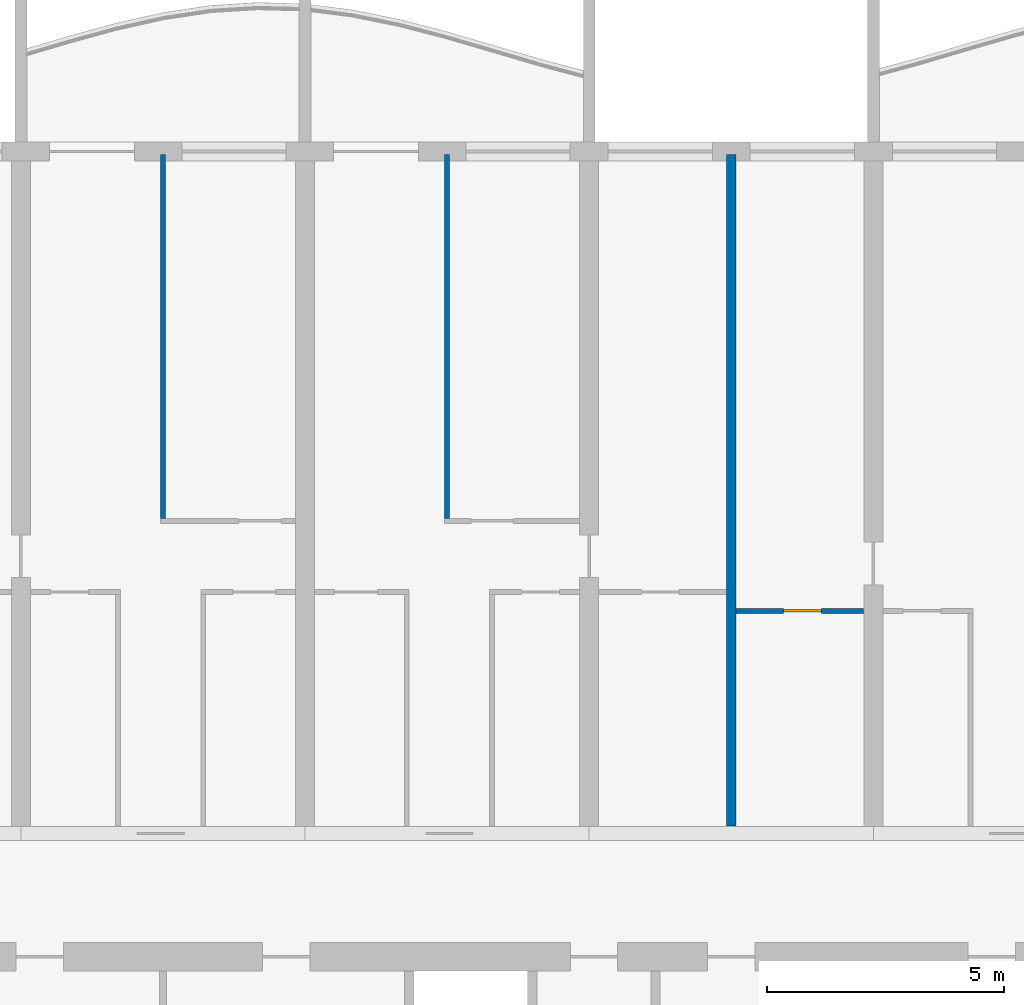
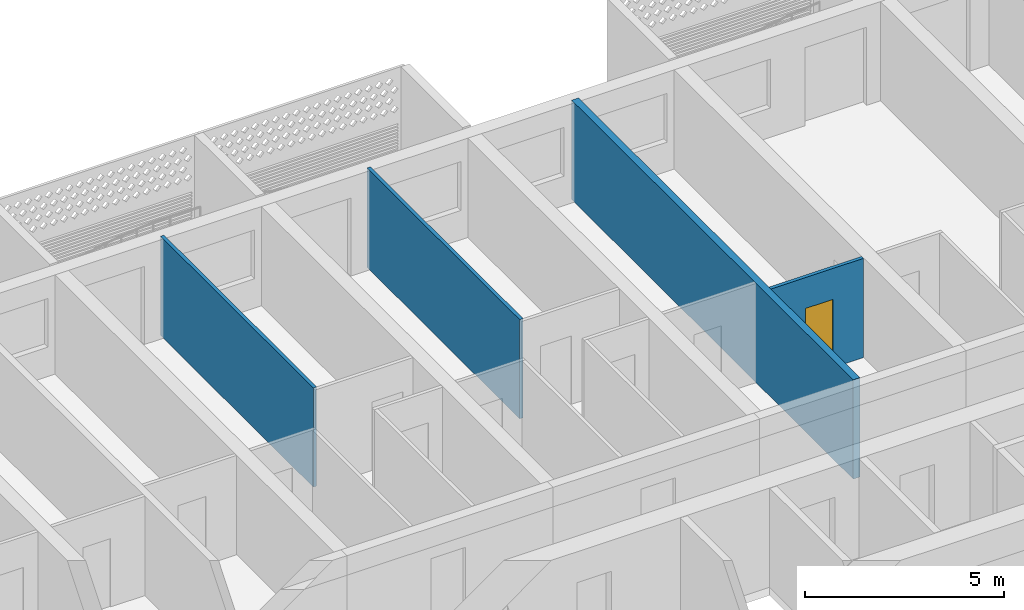
# One storey, part 11 of 39: 4 walls, 1 door, 1 opening.
"""IFC4 building model written with IfcOpenShell, lengths in metres."""

from ifc_helpers import new_model, si_unit, direction, frame, frame_2d, origin, place, context, subcontext, project, spatial, rectangle, extrude, material, layer, layer_set, type_object, element, fill, save


model = new_model("IFC4")

# Units and contexts
model_context = context("Model", 3, precision=1e-05, world=origin(), true_north=direction((0.0, 1.0)))
body_context = subcontext(model_context, "Body", "Model", "MODEL_VIEW")
ifc_project = project(units=[si_unit("LENGTHUNIT", "METRE"), si_unit("AREAUNIT", "SQUARE_METRE"), si_unit("VOLUMEUNIT", "CUBIC_METRE"), si_unit("PLANEANGLEUNIT", "RADIAN"), si_unit("MASSUNIT", "GRAM", prefix="KILO")], contexts=[model_context])

# Site, building, storey
site_placement = place(None, origin())
site = spatial("IfcSite", under=ifc_project, at=site_placement, CompositionType="ELEMENT")
building_placement = place(site_placement, origin())
building = spatial("IfcBuilding", under=site, at=building_placement, Name="Poui Terraces", CompositionType="ELEMENT")
storey_placement = place(building_placement, frame((0.0, 0.0, 59.699951171875)))
storey = spatial("IfcBuildingStorey", under=building, at=storey_placement, Name="L16", CompositionType="ELEMENT", Elevation=59.699951171875)

# Wall, opening, door
ifc_material_1 = material(Name="Plasterboard partition")
ifc_layer_1 = layer(ifc_material_1, 0.10009765625)
ifc_layer_set_1 = layer_set([ifc_layer_1], Name="Plasterboard partition")
wall_type_1 = type_object("IfcWallType", Name="FLAT PARTITION 100", PredefinedType="PARTITIONING", material=ifc_layer_set_1)
wall_1_placement = place(storey_placement, frame((51.10009765625, 35.10009765625, 0.0), z_axis=(0.0, 0.0, 1.0), x_axis=(1.0, 0.0, 0.0)))
wall_1 = element("IfcWall", 1, at=wall_1_placement, inside=storey, type_object=wall_type_1, Name="FLAT PARTITION 100", PredefinedType="PARTITIONING", context=body_context, shape_type="SweptSolid", body=[
    extrude(rectangle(XDim=2.68994140625, YDim=0.10009765625, at=frame_2d((1.344970703125, 0.0))), origin(), (0.0, 0.0, 1.0), 3.050048828125),
])
opening_placement = place(wall_1_placement, frame((1.0, 0.0, 0.0)))
opening = element("IfcOpeningElement", 2, at=opening_placement, cuts=wall_1, Name="Opening D80", PredefinedType="OPENING", context=body_context, shape_type="SweptSolid", body=[
    extrude(rectangle(XDim=0.800048828125, YDim=2.10009765625, at=frame_2d((0.39990234375, 1.050048828125))), frame((0.0, 0.06005859375, 0.0), z_axis=(0.0, -1.0, 0.0), x_axis=(1.0, 0.0, 0.0)), (0.0, 0.0, 1.0), 0.1201171875),
])
ifc_material_2 = material(Name="Solid core timber door", Category="wood")
door_type = type_object("IfcDoorType", Name="BATHROOM, LAUNDRY AND STORE DOOR 800 X 2100", OperationType="NOTDEFINED", PredefinedType="DOOR", material=ifc_material_2)
door_placement = place(opening_placement, frame((0.800048828125, 0.0, 0.0), z_axis=(0.0, 0.0, 1.0), x_axis=(-1.0, 0.0, 0.0)))
door = element("IfcDoor", 3, at=door_placement, inside=storey, type_object=door_type, Name="BATHROOM, LAUNDRY AND STORE DOOR 058", OperationType="SINGLE_SWING_RIGHT", OverallHeight=2.10009765625, OverallWidth=0.800048828125, PredefinedType="DOOR", context=body_context, shape_type="SweptSolid", body=[
    extrude(rectangle(XDim=0.800048828125, YDim=2.10009765625, at=frame_2d((0.39990234375, 1.050048828125))), frame((0.0, 0.02490234375, 0.0), z_axis=(0.0, -1.0, 0.0), x_axis=(1.0, 0.0, 0.0)), (0.0, 0.0, 1.0), 0.050048828125),
])
fill(opening, door)

# Walls
for number, where, z_axis, x_axis, name in (
    (4, (39.0, 37.050048828125, 0.0), (0.0, 0.0, 1.0), (0.0, 1.0, 0.0), "FLAT PARTITION 100"),
    (5, (45.0, 37.050048828125, 0.0), (0.0, 0.0, 1.0), (0.0, 1.0, 0.0), "FLAT PARTITION 100"),
):
    element("IfcWall", number, at=place(storey_placement, frame(where, z_axis=z_axis, x_axis=x_axis)), inside=storey, type_object=wall_type_1, Name=name, PredefinedType="PARTITIONING", context=body_context, shape_type="SweptSolid", body=[
        extrude(rectangle(XDim=7.68994140625, YDim=0.10009765625, at=frame_2d((3.844970703125, 0.0))), origin(), (0.0, 0.0, 1.0), 3.050048828125),
    ])
ifc_material_3 = material(Name="Fire-rated masonry wall", Category="masonry")
ifc_layer_2 = layer(ifc_material_3, 0.199951171875)
ifc_layer_set_2 = layer_set([ifc_layer_2], Name="Fire-rated masonry wall")
wall_type_2 = type_object("IfcWallType", Name="FLAT PARTY WALL 200", PredefinedType="PARTITIONING", material=ifc_layer_set_2)
wall_2_placement = place(storey_placement, frame((51.0, 30.56005859375, 0.0), z_axis=(0.0, 0.0, 1.0), x_axis=(0.0, 1.0, 0.0)))
element("IfcWall", 6, at=wall_2_placement, inside=storey, type_object=wall_type_2, Name="FLAT PARTY WALL 200", PredefinedType="PARTITIONING", context=body_context, shape_type="SweptSolid", body=[
    extrude(rectangle(XDim=14.179931640625, YDim=0.199951171875, at=frame_2d((7.08984375, 0.0))), origin(), (0.0, 0.0, 1.0), 3.050048828125),
])

save(model, "model.ifc")
